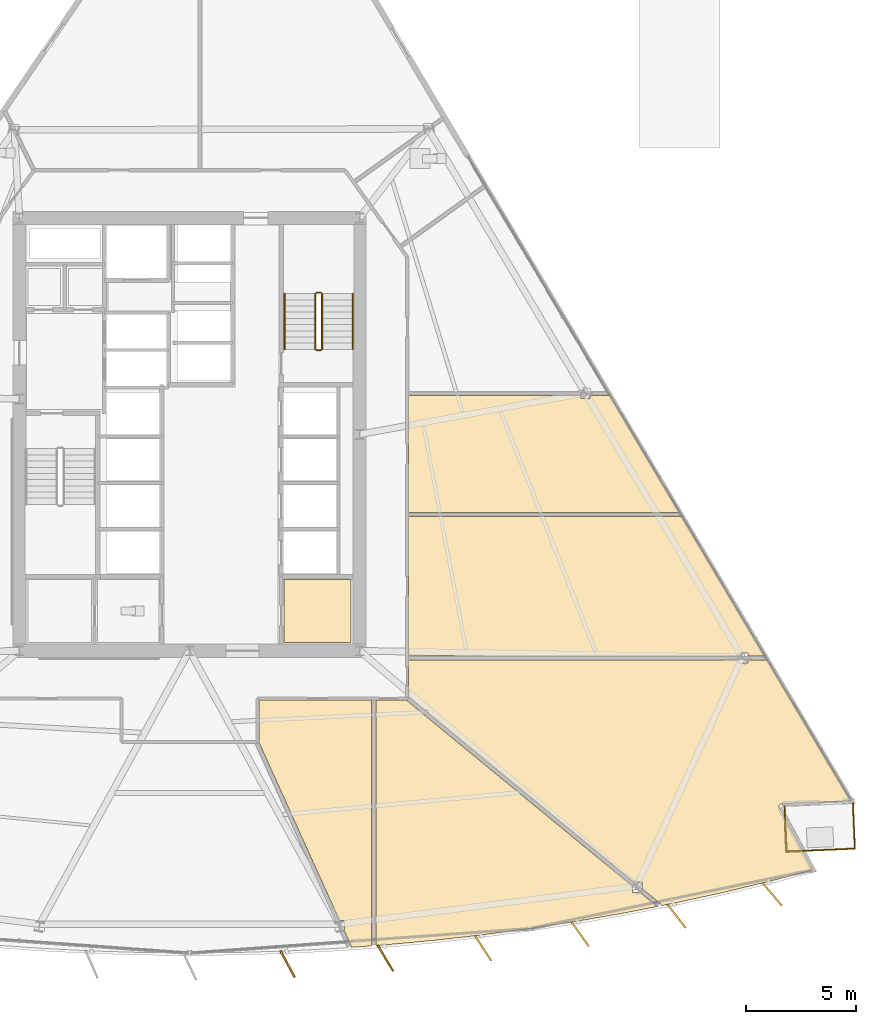
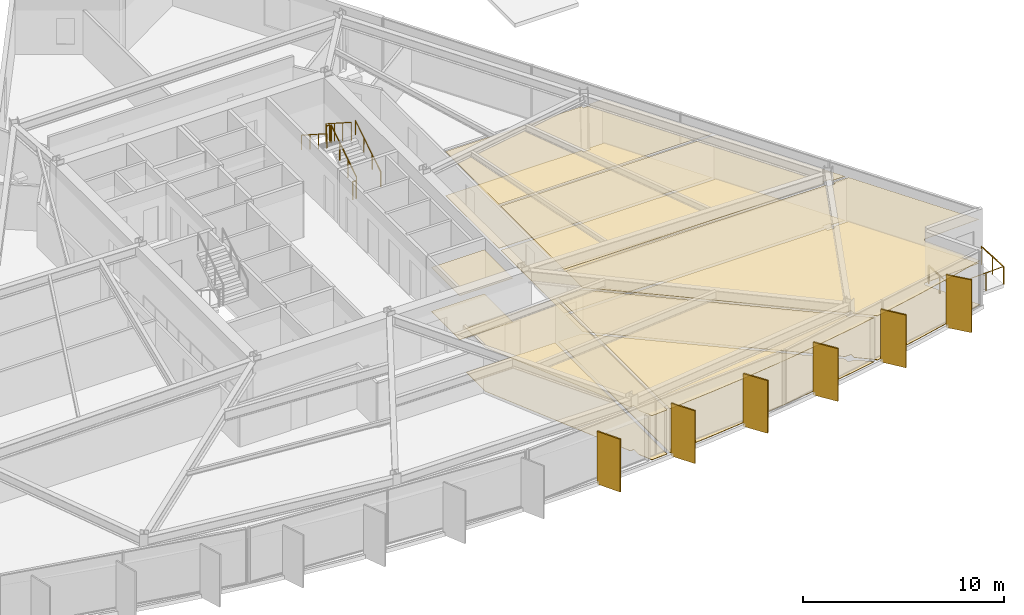
# One storey, part 14 of 16: 12 coverings, 9 railings, 6 shading devices.
"""IFC4 building model written with IfcOpenShell, lengths in metres."""

from ifc_helpers import new_model, si_unit, direction, frame, origin, origin_2d, place, context, subcontext, project, spatial, polyline, rectangle, circle, outline, extrude, material, layer, layer_set, type_object, element, save


model = new_model("IFC4")

# Units and contexts
model_context = context("Model", 3, precision=1e-05, world=origin(), true_north=direction((0.0, 1.0)))
body_context = subcontext(model_context, "Body", "Model", "MODEL_VIEW")
ifc_project = project(units=[si_unit("LENGTHUNIT", "METRE"), si_unit("AREAUNIT", "SQUARE_METRE"), si_unit("VOLUMEUNIT", "CUBIC_METRE"), si_unit("PLANEANGLEUNIT", "RADIAN"), si_unit("MASSUNIT", "GRAM", prefix="KILO")], contexts=[model_context])

# Site, building, storey
site_placement = place(None, origin())
site = spatial("IfcSite", under=ifc_project, at=site_placement, CompositionType="ELEMENT")
building_placement = place(site_placement, origin())
building = spatial("IfcBuilding", under=site, at=building_placement, Name="Savorim Split Tower", CompositionType="ELEMENT")
storey_placement = place(building_placement, frame((0.0, 0.0, 30.0)))
storey = spatial("IfcBuildingStorey", under=building, at=storey_placement, Name="L07", CompositionType="ELEMENT", Elevation=30.0)

# Coverings
ifc_material_1 = material(Name="Mineral Fibre Acoustic Ceiling")
ifc_layer_1 = layer(ifc_material_1, 0.02490234375)
ifc_layer_set_1 = layer_set([ifc_layer_1], Name="COV-CEIL-25")
covering_type_1 = type_object("IfcCoveringType", Name="COV-CEIL-25", PredefinedType="CEILING", material=ifc_layer_set_1)
covering_1_placement = place(storey_placement, frame((0.0, 0.0, 2.669921875)))
element("IfcCovering", 1, at=covering_1_placement, inside=storey, type_object=covering_type_1, Name="L07 Core IT Server Room Acoustic Ceiling", PredefinedType="CEILING", context=body_context, shape_type="SweptSolid", body=[
    extrude(outline(polyline([(4.280029296875, -6.179931640625), (4.280029296875, -9.02001953125), (7.320068359375, -9.02001953125), (7.320068359375, -6.179931640625), (4.280029296875, -6.179931640625)])), origin(), (0.0, 0.0, 1.0), 0.025146484375),
])
covering_2_placement = place(storey_placement, frame((0.0, 0.0, 2.669921875)))
element("IfcCovering", 2, at=covering_2_placement, inside=storey, type_object=covering_type_1, Name="L07 Quiet Study Room Acoustic Ceiling", PredefinedType="CEILING", context=body_context, shape_type="SweptSolid", body=[
    extrude(outline(polyline([(7.00439453125, -22.074951171875), (7.307373046875, -22.744384765625), (7.343994140625, -22.82470703125), (8.244384765625, -22.76025390625), (8.244384765625, -11.6201171875), (3.139892578125, -11.6201171875), (3.139892578125, -13.449951171875), (3.139404296875, -13.463623046875), (3.13720703125, -13.477294921875), (3.134033203125, -13.490478515625), (3.12939453125, -13.503662109375), (3.12646484375, -13.509765625), (6.79345703125, -21.60888671875), (7.0126953125, -21.60888671875), (7.0126953125, -22.074951171875), (7.00439453125, -22.074951171875)])), origin(), (0.0, 0.0, 1.0), 0.025146484375),
])
covering_3_placement = place(storey_placement, frame((0.0, 0.0, 2.669921875)))
element("IfcCovering", 3, at=covering_3_placement, inside=storey, type_object=covering_type_1, Name="L07 Co-Working Commons Acoustic Ceiling", PredefinedType="CEILING", context=body_context, shape_type="SweptSolid", body=[
    extrude(outline(polyline([(13.215576171875, -22.267578125), (15.404296875, -21.974853515625), (17.586181640625, -21.63720703125), (19.760986328125, -21.255126953125), (21.17529296875, -20.976806640625), (20.40673828125, -20.344482421875), (20.054931640625, -20.344482421875), (20.054931640625, -20.05517578125), (9.82763671875, -11.64208984375), (9.799072265625, -11.618408203125), (9.793701171875, -11.619384765625), (9.780029296875, -11.6201171875), (8.434326171875, -11.6201171875), (8.434326171875, -22.74658203125), (8.82275390625, -22.71875), (11.021484375, -22.515625), (13.215576171875, -22.267578125)])), origin(), (0.0, 0.0, 1.0), 0.025146484375),
])
covering_4_placement = place(storey_placement, frame((0.0, 0.0, 2.669921875)))
element("IfcCovering", 4, at=covering_4_placement, inside=storey, type_object=covering_type_1, Name="L07 Maker Workshop Acoustic Ceiling", PredefinedType="CEILING", context=body_context, shape_type="SweptSolid", body=[
    extrude(outline(polyline([(26.7880859375, -16.331298828125), (26.79931640625, -16.3291015625), (26.810791015625, -16.328125), (29.954345703125, -16.1943359375), (26.146728515625, -9.791015625), (26.146728515625, -9.82421875), (25.291015625, -9.82421875), (25.291015625, -9.962158203125), (24.85498046875, -9.962158203125), (24.85498046875, -9.82421875), (9.919921875, -9.82421875), (9.919921875, -11.471923828125), (20.139404296875, -19.87841796875), (20.490966796875, -19.87841796875), (20.490966796875, -20.167724609375), (21.306396484375, -20.83837890625), (21.379638671875, -20.898681640625), (21.3427734375, -20.943603515625), (21.927490234375, -20.82861328125), (24.0849609375, -20.357666015625), (26.232177734375, -19.843017578125), (28.22216796875, -19.322509765625), (26.710205078125, -16.504638671875), (26.705322265625, -16.494384765625), (26.701416015625, -16.4833984375), (26.698486328125, -16.472412109375), (26.69677734375, -16.4609375), (26.696044921875, -16.449462890625), (26.6962890625, -16.437744140625), (26.697998046875, -16.426513671875), (26.70068359375, -16.4150390625), (26.704345703125, -16.404296875), (26.708984375, -16.393798828125), (26.714599609375, -16.383544921875), (26.721435546875, -16.374267578125), (26.72900390625, -16.365478515625), (26.7373046875, -16.357421875), (26.746337890625, -16.350341796875), (26.756103515625, -16.343994140625), (26.766357421875, -16.3388671875), (26.777099609375, -16.33447265625), (26.7880859375, -16.331298828125)])), origin(), (0.0, 0.0, 1.0), 0.025146484375),
])
covering_5_placement = place(storey_placement, frame((0.0, 0.0, 2.669921875)))
element("IfcCovering", 5, at=covering_5_placement, inside=storey, type_object=covering_type_1, Name="L07 Co-Working Commons Acoustic Ceiling", PredefinedType="CEILING", context=body_context, shape_type="SweptSolid", body=[
    extrude(outline(polyline([(25.291015625, -9.49609375), (25.291015625, -9.634033203125), (26.0517578125, -9.634033203125), (26.053466796875, -9.634033203125), (22.29931640625, -3.32080078125), (9.919921875, -3.32080078125), (9.919921875, -9.634033203125), (24.85498046875, -9.634033203125), (24.85498046875, -9.49609375), (25.291015625, -9.49609375)])), origin(), (0.0, 0.0, 1.0), 0.025146484375),
])
covering_6_placement = place(storey_placement, frame((0.0, 0.0, 2.669921875)))
element("IfcCovering", 6, at=covering_6_placement, inside=storey, type_object=covering_type_1, Name="L07 Maker Workshop Acoustic Ceiling", PredefinedType="CEILING", context=body_context, shape_type="SweptSolid", body=[
    extrude(outline(polyline([(17.7294921875, 2.020751953125), (17.7294921875, 2.15869140625), (9.919921875, 2.15869140625), (9.919921875, -3.130859375), (22.186279296875, -3.130859375), (19.021484375, 2.19189453125), (19.021484375, 2.15869140625), (18.16552734375, 2.15869140625), (18.16552734375, 2.020751953125), (17.7294921875, 2.020751953125)])), origin(), (0.0, 0.0, 1.0), 0.025146484375),
])
ifc_material_2 = material(Name="Porcelain Stoneware Flooring", Category="masonry")
ifc_layer_2 = layer(ifc_material_2, 0.02001953125)
ifc_layer_set_2 = layer_set([ifc_layer_2], Name="COV-FLOR-20")
covering_type_2 = type_object("IfcCoveringType", Name="COV-FLOR-20", PredefinedType="FLOORING", material=ifc_layer_set_2)
covering_7_placement = place(storey_placement, origin())
element("IfcCovering", 7, at=covering_7_placement, inside=storey, type_object=covering_type_2, Name="L07 Core IT Server Room Porcelain Flooring", PredefinedType="FLOORING", context=body_context, shape_type="SweptSolid", body=[
    extrude(outline(polyline([(4.280029296875, -6.179931640625), (4.280029296875, -9.02001953125), (7.320068359375, -9.02001953125), (7.320068359375, -6.179931640625), (4.280029296875, -6.179931640625)])), origin(), (0.0, 0.0, 1.0), 0.02001953125),
])
covering_8_placement = place(storey_placement, origin())
element("IfcCovering", 8, at=covering_8_placement, inside=storey, type_object=covering_type_2, Name="L07 Quiet Study Room Porcelain Flooring", PredefinedType="FLOORING", context=body_context, shape_type="SweptSolid", body=[
    extrude(outline(polyline([(7.00439453125, -22.074951171875), (7.307373046875, -22.744384765625), (7.343994140625, -22.82470703125), (8.244384765625, -22.76025390625), (8.244384765625, -11.6201171875), (3.139892578125, -11.6201171875), (3.139892578125, -13.449951171875), (3.139404296875, -13.463623046875), (3.13720703125, -13.477294921875), (3.134033203125, -13.490478515625), (3.12939453125, -13.503662109375), (3.12646484375, -13.509765625), (6.79345703125, -21.60888671875), (7.0126953125, -21.60888671875), (7.0126953125, -22.074951171875), (7.00439453125, -22.074951171875)])), origin(), (0.0, 0.0, 1.0), 0.02001953125),
])
covering_9_placement = place(storey_placement, origin())
element("IfcCovering", 9, at=covering_9_placement, inside=storey, type_object=covering_type_2, Name="L07 Co-Working Commons Porcelain Flooring", PredefinedType="FLOORING", context=body_context, shape_type="SweptSolid", body=[
    extrude(outline(polyline([(13.215576171875, -22.267578125), (15.404296875, -21.974853515625), (17.586181640625, -21.63720703125), (19.760986328125, -21.255126953125), (21.17529296875, -20.976806640625), (20.40673828125, -20.344482421875), (20.054931640625, -20.344482421875), (20.054931640625, -20.05517578125), (9.82763671875, -11.64208984375), (9.799072265625, -11.618408203125), (9.793701171875, -11.619384765625), (9.780029296875, -11.6201171875), (8.434326171875, -11.6201171875), (8.434326171875, -22.74658203125), (8.82275390625, -22.71875), (11.021484375, -22.515625), (13.215576171875, -22.267578125)])), origin(), (0.0, 0.0, 1.0), 0.02001953125),
])
covering_10_placement = place(storey_placement, origin())
element("IfcCovering", 10, at=covering_10_placement, inside=storey, type_object=covering_type_2, Name="L07 Maker Workshop Porcelain Flooring", PredefinedType="FLOORING", context=body_context, shape_type="SweptSolid", body=[
    extrude(outline(polyline([(26.7880859375, -16.331298828125), (26.79931640625, -16.3291015625), (26.810791015625, -16.328125), (29.954345703125, -16.1943359375), (26.146728515625, -9.791015625), (26.146728515625, -9.82421875), (25.291015625, -9.82421875), (25.291015625, -9.962158203125), (24.85498046875, -9.962158203125), (24.85498046875, -9.82421875), (9.919921875, -9.82421875), (9.919921875, -11.471923828125), (20.139404296875, -19.87841796875), (20.490966796875, -19.87841796875), (20.490966796875, -20.167724609375), (21.306396484375, -20.83837890625), (21.379638671875, -20.898681640625), (21.3427734375, -20.943603515625), (21.927490234375, -20.82861328125), (24.0849609375, -20.357666015625), (26.232177734375, -19.843017578125), (28.22216796875, -19.322509765625), (26.710205078125, -16.504638671875), (26.705322265625, -16.494384765625), (26.701416015625, -16.4833984375), (26.698486328125, -16.472412109375), (26.69677734375, -16.4609375), (26.696044921875, -16.449462890625), (26.6962890625, -16.437744140625), (26.697998046875, -16.426513671875), (26.70068359375, -16.4150390625), (26.704345703125, -16.404296875), (26.708984375, -16.393798828125), (26.714599609375, -16.383544921875), (26.721435546875, -16.374267578125), (26.72900390625, -16.365478515625), (26.7373046875, -16.357421875), (26.746337890625, -16.350341796875), (26.756103515625, -16.343994140625), (26.766357421875, -16.3388671875), (26.777099609375, -16.33447265625), (26.7880859375, -16.331298828125)])), origin(), (0.0, 0.0, 1.0), 0.02001953125),
])
covering_11_placement = place(storey_placement, origin())
element("IfcCovering", 11, at=covering_11_placement, inside=storey, type_object=covering_type_2, Name="L07 Co-Working Commons Porcelain Flooring", PredefinedType="FLOORING", context=body_context, shape_type="SweptSolid", body=[
    extrude(outline(polyline([(25.291015625, -9.49609375), (25.291015625, -9.634033203125), (26.0517578125, -9.634033203125), (26.053466796875, -9.634033203125), (22.29931640625, -3.32080078125), (9.919921875, -3.32080078125), (9.919921875, -9.634033203125), (24.85498046875, -9.634033203125), (24.85498046875, -9.49609375), (25.291015625, -9.49609375)])), origin(), (0.0, 0.0, 1.0), 0.02001953125),
])
covering_12_placement = place(storey_placement, origin())
element("IfcCovering", 12, at=covering_12_placement, inside=storey, type_object=covering_type_2, Name="L07 Maker Workshop Porcelain Flooring", PredefinedType="FLOORING", context=body_context, shape_type="SweptSolid", body=[
    extrude(outline(polyline([(17.7294921875, 2.020751953125), (17.7294921875, 2.15869140625), (9.919921875, 2.15869140625), (9.919921875, -3.130859375), (22.186279296875, -3.130859375), (19.021484375, 2.19189453125), (19.021484375, 2.15869140625), (18.16552734375, 2.15869140625), (18.16552734375, 2.020751953125), (17.7294921875, 2.020751953125)])), origin(), (0.0, 0.0, 1.0), 0.02001953125),
])

# Railings
ifc_material_3 = material(Name="Galvanised Painted Steel Balustrade", Category="steel")
railing_type_1 = type_object("IfcRailingType", Name="RLG-BAL-1100", PredefinedType="BALUSTRADE", material=ifc_material_3)
railing_1_placement = place(storey_placement, frame((30.040283203125, -16.310791015625, 0.0)))
element("IfcRailing", 13, at=railing_1_placement, inside=storey, type_object=railing_type_1, Name="L07 Tree Balcony Guardrail SE-1", PredefinedType="BALUSTRADE", context=body_context, shape_type="SweptSolid", body=[
    extrude(circle(Radius=0.02392578125, at=origin_2d()), frame((0.0, 0.0, 1.076171875), z_axis=(0.042517246, -0.999095733047, 0.0), x_axis=(0.999095733047, 0.042517246, 0.0)), (0.0, 0.0, 1.0), 2.050048828125),
    extrude(circle(Radius=0.02099609375, at=origin_2d()), origin(), (0.0, 0.0, 1.0), 1.052001953125),
    extrude(circle(Radius=0.02099609375, at=origin_2d()), frame((0.04345703125, -1.02392578125, 0.0)), (0.0, 0.0, 1.0), 1.052001953125),
    extrude(circle(Radius=0.02099609375, at=origin_2d()), frame((0.087158203125, -2.048095703125, 0.0)), (0.0, 0.0, 1.0), 1.052001953125),
])
railing_2_placement = place(storey_placement, frame((30.12744140625, -18.35888671875, 0.0)))
element("IfcRailing", 14, at=railing_2_placement, inside=storey, type_object=railing_type_1, Name="L07 Tree Balcony Guardrail SE-2", PredefinedType="BALUSTRADE", context=body_context, shape_type="SweptSolid", body=[
    extrude(circle(Radius=0.02392578125, at=origin_2d()), frame((0.0, 0.0, 1.076171875), z_axis=(-0.99909605371, -0.042509710189, 0.0), x_axis=(0.042509710189, -0.99909605371, 0.0)), (0.0, 0.0, 1.0), 3.107177734375),
    extrude(circle(Radius=0.02099609375, at=origin_2d()), origin(), (0.0, 0.0, 1.0), 1.052001953125),
    extrude(circle(Radius=0.02099609375, at=origin_2d()), frame((-1.03466796875, -0.0439453125, 0.0)), (0.0, 0.0, 1.0), 1.052001953125),
    extrude(circle(Radius=0.02099609375, at=origin_2d()), frame((-2.069580078125, -0.088134765625, 0.0)), (0.0, 0.0, 1.0), 1.052001953125),
    extrude(circle(Radius=0.02099609375, at=origin_2d()), frame((-3.104248046875, -0.132080078125, 0.0)), (0.0, 0.0, 1.0), 1.052001953125),
])
railing_3_placement = place(storey_placement, frame((27.023193359375, -18.490966796875, 0.0)))
element("IfcRailing", 15, at=railing_3_placement, inside=storey, type_object=railing_type_1, Name="L07 Tree Balcony Guardrail SE-3", PredefinedType="BALUSTRADE", context=body_context, shape_type="SweptSolid", body=[
    extrude(circle(Radius=0.02392578125, at=origin_2d()), frame((0.0, 0.0, 1.076171875), z_axis=(-0.042636125732, 0.999090666948, 0.0), x_axis=(-0.999090666948, -0.042636125732, 0.0)), (0.0, 0.0, 1.0), 2.050048828125),
    extrude(circle(Radius=0.02099609375, at=origin_2d()), origin(), (0.0, 0.0, 1.0), 1.052001953125),
    extrude(circle(Radius=0.02099609375, at=origin_2d()), frame((-0.043701171875, 1.02392578125, 0.0)), (0.0, 0.0, 1.0), 1.052001953125),
    extrude(circle(Radius=0.02099609375, at=origin_2d()), frame((-0.08740234375, 2.048095703125, 0.0)), (0.0, 0.0, 1.0), 1.052001953125),
])
railing_type_2 = type_object("IfcRailingType", Name="RLG-HR-900", PredefinedType="HANDRAIL", material=ifc_material_3)
railing_4_placement = place(storey_placement, frame((7.39990234375, 4.25, 0.179931640625)))
element("IfcRailing", 16, at=railing_4_placement, inside=storey, type_object=railing_type_2, Name="L07 ST-2 stair handrail 1", PredefinedType="HANDRAIL", context=body_context, shape_type="SweptSolid", body=[
    extrude(circle(Radius=0.02392578125, at=origin_2d()), frame((0.0, 0.0, 0.8759765625), z_axis=(0.0, 0.841162588446, 0.540782303519), x_axis=(-1.0, 0.0, 0.0)), (0.0, 0.0, 1.0), 2.995849609375),
    extrude(circle(Radius=0.02099609375, at=origin_2d()), origin(), (0.0, 0.0, 1.0), 0.851806640625),
    extrude(circle(Radius=0.02099609375, at=origin_2d()), frame((0.0, 0.840087890625, 0.5400390625)), (0.0, 0.0, 1.0), 0.851806640625),
    extrude(circle(Radius=0.02099609375, at=origin_2d()), frame((0.0, 1.679931640625, 1.080078125)), (0.0, 0.0, 1.0), 0.851806640625),
    extrude(circle(Radius=0.02099609375, at=origin_2d()), frame((0.0, 2.52001953125, 1.6201171875)), (0.0, 0.0, 1.0), 0.851806640625),
])
railing_5_placement = place(storey_placement, frame((4.300048828125, 6.77001953125, 1.97998046875)))
element("IfcRailing", 17, at=railing_5_placement, inside=storey, type_object=railing_type_2, Name="L07 ST-2 stair handrail 2", PredefinedType="HANDRAIL", context=body_context, shape_type="SweptSolid", body=[
    extrude(circle(Radius=0.02392578125, at=origin_2d()), frame((0.0, 0.0, 0.8759765625), z_axis=(0.0, -0.841162588446, 0.540782303519), x_axis=(1.0, 0.0, 0.0)), (0.0, 0.0, 1.0), 2.995849609375),
    extrude(circle(Radius=0.02099609375, at=origin_2d()), origin(), (0.0, 0.0, 1.0), 0.851806640625),
    extrude(circle(Radius=0.02099609375, at=origin_2d()), frame((0.0, -0.840087890625, 0.5400390625)), (0.0, 0.0, 1.0), 0.851806640625),
    extrude(circle(Radius=0.02099609375, at=origin_2d()), frame((0.0, -1.679931640625, 1.080078125)), (0.0, 0.0, 1.0), 0.851806640625),
    extrude(circle(Radius=0.02099609375, at=origin_2d()), frame((0.0, -2.52001953125, 1.6201171875)), (0.0, 0.0, 1.0), 0.851806640625),
])
railing_type_3 = type_object("IfcRailingType", Name="RLG-STG-1100", PredefinedType="BALUSTRADE", material=ifc_material_3)
railing_6_placement = place(storey_placement, frame((6.0, 4.25, 0.179931640625)))
element("IfcRailing", 18, at=railing_6_placement, inside=storey, type_object=railing_type_3, Name="L07 ST-2 stair guard 1", PredefinedType="BALUSTRADE", context=body_context, shape_type="SweptSolid", body=[
    extrude(circle(Radius=0.02392578125, at=origin_2d()), frame((0.0, 0.0, 1.076171875), z_axis=(0.0, 0.841162588446, 0.540782303519), x_axis=(-1.0, 0.0, 0.0)), (0.0, 0.0, 1.0), 2.995849609375),
    extrude(circle(Radius=0.02099609375, at=origin_2d()), origin(), (0.0, 0.0, 1.0), 1.052001953125),
    extrude(circle(Radius=0.02099609375, at=origin_2d()), frame((0.0, 0.840087890625, 0.5400390625)), (0.0, 0.0, 1.0), 1.052001953125),
    extrude(circle(Radius=0.02099609375, at=origin_2d()), frame((0.0, 1.679931640625, 1.080078125)), (0.0, 0.0, 1.0), 1.052001953125),
    extrude(circle(Radius=0.02099609375, at=origin_2d()), frame((0.0, 2.52001953125, 1.6201171875)), (0.0, 0.0, 1.0), 1.052001953125),
])
railing_7_placement = place(storey_placement, frame((5.949951171875, 6.820068359375, 1.800048828125)))
element("IfcRailing", 19, at=railing_7_placement, inside=storey, type_object=railing_type_3, Name="L07 ST-2 stair guard 2", PredefinedType="BALUSTRADE", context=body_context, shape_type="SweptSolid", body=[
    extrude(circle(Radius=0.02392578125, at=origin_2d()), frame((0.0, 0.0, 1.076171875), z_axis=(-1.0, 0.0, 0.0), x_axis=(0.0, -1.0, 0.0)), (0.0, 0.0, 1.0), 0.199951171875),
    extrude(circle(Radius=0.02099609375, at=origin_2d()), origin(), (0.0, 0.0, 1.0), 1.052001953125),
    extrude(circle(Radius=0.02099609375, at=origin_2d()), frame((-0.199951171875, 0.0, 0.0)), (0.0, 0.0, 1.0), 1.052001953125),
])
railing_8_placement = place(storey_placement, frame((5.699951171875, 6.77001953125, 1.97998046875)))
element("IfcRailing", 20, at=railing_8_placement, inside=storey, type_object=railing_type_3, Name="L07 ST-2 stair guard 3", PredefinedType="BALUSTRADE", context=body_context, shape_type="SweptSolid", body=[
    extrude(circle(Radius=0.02392578125, at=origin_2d()), frame((0.0, 0.0, 1.076171875), z_axis=(0.0, -0.841162588446, 0.540782303519), x_axis=(1.0, 0.0, 0.0)), (0.0, 0.0, 1.0), 2.995849609375),
    extrude(circle(Radius=0.02099609375, at=origin_2d()), origin(), (0.0, 0.0, 1.0), 1.052001953125),
    extrude(circle(Radius=0.02099609375, at=origin_2d()), frame((0.0, -0.840087890625, 0.5400390625)), (0.0, 0.0, 1.0), 1.052001953125),
    extrude(circle(Radius=0.02099609375, at=origin_2d()), frame((0.0, -1.679931640625, 1.080078125)), (0.0, 0.0, 1.0), 1.052001953125),
    extrude(circle(Radius=0.02099609375, at=origin_2d()), frame((0.0, -2.52001953125, 1.6201171875)), (0.0, 0.0, 1.0), 1.052001953125),
])
railing_9_placement = place(storey_placement, frame((5.949951171875, 4.199951171875, 0.0)))
element("IfcRailing", 21, at=railing_9_placement, inside=storey, type_object=railing_type_3, Name="L07 ST-2 stair guard 4", PredefinedType="BALUSTRADE", context=body_context, shape_type="SweptSolid", body=[
    extrude(circle(Radius=0.02392578125, at=origin_2d()), frame((0.0, 0.0, 1.076171875), z_axis=(-1.0, 0.0, 0.0), x_axis=(0.0, -1.0, 0.0)), (0.0, 0.0, 1.0), 0.199951171875),
    extrude(circle(Radius=0.02099609375, at=origin_2d()), origin(), (0.0, 0.0, 1.0), 1.052001953125),
    extrude(circle(Radius=0.02099609375, at=origin_2d()), frame((-0.199951171875, 0.0, 0.0)), (0.0, 0.0, 1.0), 1.052001953125),
])

# Shading devices
ifc_material_4 = material(Name="Terracotta Ceramic-Coated Aluminium Fin", Category="masonry")
shading_device_type = type_object("IfcShadingDeviceType", Name="SHD-FIN-1360", PredefinedType="USERDEFINED", material=ifc_material_4)
for number, where, z_axis, x_axis, name in (
    (22, (4.439453125, -23.585205078125, -0.2001953125), (0.0, 0.0, 1.0), (0.474778051978, -0.880105562623, 0.0), "L07 Sawtooth Shading Fin 08"),
    (23, (8.871337890625, -23.312744140625, -0.2001953125), (0.0, 0.0, 1.0), (0.510391336723, -0.859942255851, 0.0), "L07 Sawtooth Shading Fin 09"),
    (24, (13.28857421875, -22.859130859375, -0.2001953125), (0.0, 0.0, 1.0), (0.545148321708, -0.838339613366, 0.0), "L07 Sawtooth Shading Fin 10"),
    (25, (17.68359375, -22.225341796875, -0.2001953125), (0.0, 0.0, 1.0), (0.578993757737, -0.815331974414, 0.0), "L07 Sawtooth Shading Fin 11"),
    (26, (22.048583984375, -21.412109375, -0.2001953125), (0.0, 0.0, 1.0), (0.611868076908, -0.790959832394, 0.0), "L07 Sawtooth Shading Fin 12"),
    (27, (26.377197265625, -20.4208984375, -0.2001953125), (0.0, 0.0, 1.0), (0.643719022682, -0.765261928909, 0.0), "L07 Sawtooth Shading Fin 13"),
):
    element("IfcShadingDevice", number, at=place(storey_placement, frame(where, z_axis=z_axis, x_axis=x_axis)), inside=storey, type_object=shading_device_type, Name=name, ObjectType="FIN", PredefinedType="USERDEFINED", context=body_context, shape_type="SweptSolid", body=[
        extrude(rectangle(XDim=1.360107421875, YDim=0.080078125, at=origin_2d()), origin(), (0.0, 0.0, 1.0), 3.199951171875),
    ])

save(model, "model.ifc")
